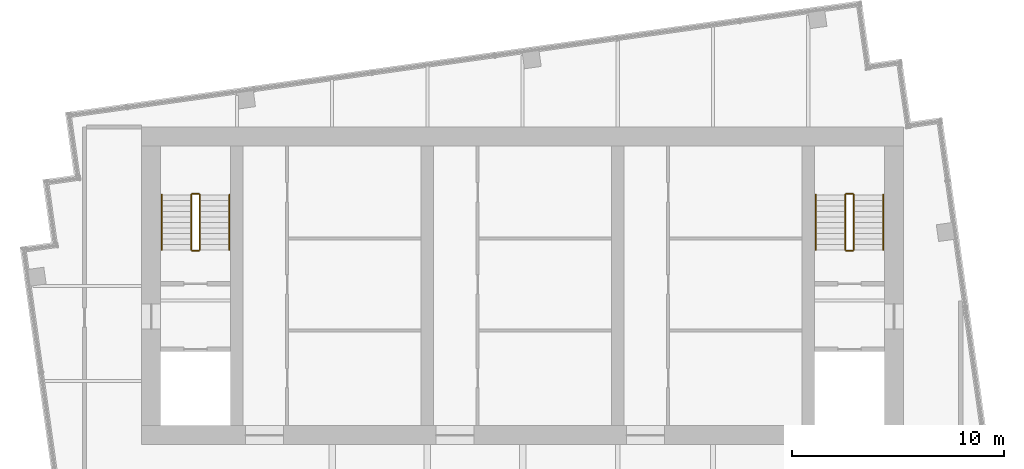
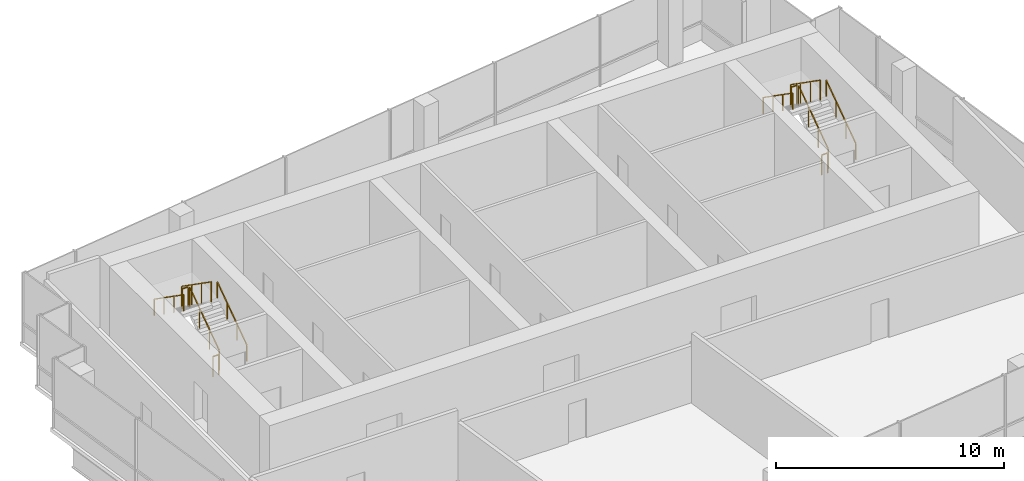
# One storey, part 9 of 9: 12 railings.
"""IFC4 building model written with IfcOpenShell, lengths in metres."""

from ifc_helpers import new_model, si_unit, direction, frame, origin, origin_2d, place, context, subcontext, project, spatial, rectangle, extrude, material, type_object, element, save


model = new_model("IFC4")

# Units and contexts
model_context = context("Model", 3, precision=1e-05, world=origin(), true_north=direction((0.0, 1.0)))
body_context = subcontext(model_context, "Body", "Model", "MODEL_VIEW")
ifc_project = project(units=[si_unit("LENGTHUNIT", "METRE"), si_unit("AREAUNIT", "SQUARE_METRE"), si_unit("VOLUMEUNIT", "CUBIC_METRE"), si_unit("PLANEANGLEUNIT", "RADIAN"), si_unit("MASSUNIT", "GRAM", prefix="KILO")], contexts=[model_context])

# Site, building, storey
site_placement = place(None, origin())
site = spatial("IfcSite", under=ifc_project, at=site_placement, CompositionType="ELEMENT")
building_placement = place(site_placement, origin())
building = spatial("IfcBuilding", under=site, at=building_placement, Name="Rattan Terrace Tower", CompositionType="ELEMENT")
storey_placement = place(building_placement, frame((0.0, 0.0, 312.300048828125)))
storey = spatial("IfcBuildingStorey", under=building, at=storey_placement, Name="C06", CompositionType="ELEMENT", Elevation=312.300048828125)

# Railings
ifc_material_1 = material(Name="Powder-coated steel guard", Category="steel")
railing_type_1 = type_object("IfcRailingType", Name="Core stair guard", PredefinedType="GUARDRAIL", material=ifc_material_1)
railing_1_placement = place(storey_placement, frame((-15.25, 1.699951171875, 0.181884765625)))
element("IfcRailing", 1, at=railing_1_placement, inside=storey, type_object=railing_type_1, Name="C06 S1 stair guard 1", PredefinedType="GUARDRAIL", context=body_context, shape_type="SweptSolid", body=[
    extrude(rectangle(XDim=0.048095703125, YDim=0.048095703125, at=origin_2d()), frame((0.0, 0.0, 1.076171875), z_axis=(0.0, 0.819521025635, 0.573049115296), x_axis=(-1.0, 0.0, 0.0)), (0.0, 0.0, 1.0), 3.172607421875),
    extrude(rectangle(XDim=0.0419921875, YDim=0.0419921875, at=origin_2d()), origin(), (0.0, 0.0, 1.0), 1.052001953125),
    extrude(rectangle(XDim=0.0419921875, YDim=0.0419921875, at=origin_2d()), frame((0.0, 0.86669921875, 0.60595703125)), (0.0, 0.0, 1.0), 1.052001953125),
    extrude(rectangle(XDim=0.0419921875, YDim=0.0419921875, at=origin_2d()), frame((0.0, 1.7333984375, 1.212158203125)), (0.0, 0.0, 1.0), 1.052001953125),
    extrude(rectangle(XDim=0.0419921875, YDim=0.0419921875, at=origin_2d()), frame((0.0, 2.60009765625, 1.818115234375)), (0.0, 0.0, 1.0), 1.052001953125),
])
railing_2_placement = place(storey_placement, frame((-15.300048828125, 4.35009765625, 2.0)))
element("IfcRailing", 2, at=railing_2_placement, inside=storey, type_object=railing_type_1, Name="C06 S1 stair guard 2", PredefinedType="GUARDRAIL", context=body_context, shape_type="SweptSolid", body=[
    extrude(rectangle(XDim=0.048095703125, YDim=0.048095703125, at=origin_2d()), frame((0.0, 0.0, 1.076171875), z_axis=(-1.0, 0.0, 0.0), x_axis=(0.0, -1.0, 0.0)), (0.0, 0.0, 1.0), 0.300048828125),
    extrude(rectangle(XDim=0.0419921875, YDim=0.0419921875, at=origin_2d()), origin(), (0.0, 0.0, 1.0), 1.052001953125),
    extrude(rectangle(XDim=0.0419921875, YDim=0.0419921875, at=origin_2d()), frame((-0.300048828125, 0.0, 0.0)), (0.0, 0.0, 1.0), 1.052001953125),
])
railing_3_placement = place(storey_placement, frame((-15.64990234375, 4.300048828125, 2.181884765625)))
element("IfcRailing", 3, at=railing_3_placement, inside=storey, type_object=railing_type_1, Name="C06 S1 stair guard 3", PredefinedType="GUARDRAIL", context=body_context, shape_type="SweptSolid", body=[
    extrude(rectangle(XDim=0.048095703125, YDim=0.048095703125, at=origin_2d()), frame((0.0, 0.0, 1.076171875), z_axis=(0.0, -0.819521025635, 0.573049115296), x_axis=(1.0, 0.0, 0.0)), (0.0, 0.0, 1.0), 3.172607421875),
    extrude(rectangle(XDim=0.0419921875, YDim=0.0419921875, at=origin_2d()), origin(), (0.0, 0.0, 1.0), 1.052001953125),
    extrude(rectangle(XDim=0.0419921875, YDim=0.0419921875, at=origin_2d()), frame((0.0, -0.86669921875, 0.60595703125)), (0.0, 0.0, 1.0), 1.052001953125),
    extrude(rectangle(XDim=0.0419921875, YDim=0.0419921875, at=origin_2d()), frame((0.0, -1.7333984375, 1.212158203125)), (0.0, 0.0, 1.0), 1.052001953125),
    extrude(rectangle(XDim=0.0419921875, YDim=0.0419921875, at=origin_2d()), frame((0.0, -2.60009765625, 1.818115234375)), (0.0, 0.0, 1.0), 1.052001953125),
])
railing_4_placement = place(storey_placement, frame((-15.300048828125, 1.64990234375, 0.0)))
element("IfcRailing", 4, at=railing_4_placement, inside=storey, type_object=railing_type_1, Name="C06 S1 stair guard 4", PredefinedType="GUARDRAIL", context=body_context, shape_type="SweptSolid", body=[
    extrude(rectangle(XDim=0.048095703125, YDim=0.048095703125, at=origin_2d()), frame((0.0, 0.0, 1.076171875), z_axis=(-1.0, 0.0, 0.0), x_axis=(0.0, -1.0, 0.0)), (0.0, 0.0, 1.0), 0.300048828125),
    extrude(rectangle(XDim=0.0419921875, YDim=0.0419921875, at=origin_2d()), origin(), (0.0, 0.0, 1.0), 1.052001953125),
    extrude(rectangle(XDim=0.0419921875, YDim=0.0419921875, at=origin_2d()), frame((-0.300048828125, 0.0, 0.0)), (0.0, 0.0, 1.0), 1.052001953125),
])
railing_5_placement = place(storey_placement, frame((15.64990234375, 1.699951171875, 0.181884765625)))
element("IfcRailing", 5, at=railing_5_placement, inside=storey, type_object=railing_type_1, Name="C06 S2 stair guard 1", PredefinedType="GUARDRAIL", context=body_context, shape_type="SweptSolid", body=[
    extrude(rectangle(XDim=0.048095703125, YDim=0.048095703125, at=origin_2d()), frame((0.0, 0.0, 1.076171875), z_axis=(0.0, 0.819521025635, 0.573049115296), x_axis=(-1.0, 0.0, 0.0)), (0.0, 0.0, 1.0), 3.172607421875),
    extrude(rectangle(XDim=0.0419921875, YDim=0.0419921875, at=origin_2d()), origin(), (0.0, 0.0, 1.0), 1.052001953125),
    extrude(rectangle(XDim=0.0419921875, YDim=0.0419921875, at=origin_2d()), frame((0.0, 0.86669921875, 0.60595703125)), (0.0, 0.0, 1.0), 1.052001953125),
    extrude(rectangle(XDim=0.0419921875, YDim=0.0419921875, at=origin_2d()), frame((0.0, 1.7333984375, 1.212158203125)), (0.0, 0.0, 1.0), 1.052001953125),
    extrude(rectangle(XDim=0.0419921875, YDim=0.0419921875, at=origin_2d()), frame((0.0, 2.60009765625, 1.818115234375)), (0.0, 0.0, 1.0), 1.052001953125),
])
railing_6_placement = place(storey_placement, frame((15.60009765625, 4.35009765625, 2.0)))
element("IfcRailing", 6, at=railing_6_placement, inside=storey, type_object=railing_type_1, Name="C06 S2 stair guard 2", PredefinedType="GUARDRAIL", context=body_context, shape_type="SweptSolid", body=[
    extrude(rectangle(XDim=0.048095703125, YDim=0.048095703125, at=origin_2d()), frame((0.0, 0.0, 1.076171875), z_axis=(-1.0, 0.0, 0.0), x_axis=(0.0, -1.0, 0.0)), (0.0, 0.0, 1.0), 0.300048828125),
    extrude(rectangle(XDim=0.0419921875, YDim=0.0419921875, at=origin_2d()), origin(), (0.0, 0.0, 1.0), 1.052001953125),
    extrude(rectangle(XDim=0.0419921875, YDim=0.0419921875, at=origin_2d()), frame((-0.300048828125, 0.0, 0.0)), (0.0, 0.0, 1.0), 1.052001953125),
])
railing_7_placement = place(storey_placement, frame((15.25, 4.300048828125, 2.181884765625)))
element("IfcRailing", 7, at=railing_7_placement, inside=storey, type_object=railing_type_1, Name="C06 S2 stair guard 3", PredefinedType="GUARDRAIL", context=body_context, shape_type="SweptSolid", body=[
    extrude(rectangle(XDim=0.048095703125, YDim=0.048095703125, at=origin_2d()), frame((0.0, 0.0, 1.076171875), z_axis=(0.0, -0.819521025635, 0.573049115296), x_axis=(1.0, 0.0, 0.0)), (0.0, 0.0, 1.0), 3.172607421875),
    extrude(rectangle(XDim=0.0419921875, YDim=0.0419921875, at=origin_2d()), origin(), (0.0, 0.0, 1.0), 1.052001953125),
    extrude(rectangle(XDim=0.0419921875, YDim=0.0419921875, at=origin_2d()), frame((0.0, -0.86669921875, 0.60595703125)), (0.0, 0.0, 1.0), 1.052001953125),
    extrude(rectangle(XDim=0.0419921875, YDim=0.0419921875, at=origin_2d()), frame((0.0, -1.7333984375, 1.212158203125)), (0.0, 0.0, 1.0), 1.052001953125),
    extrude(rectangle(XDim=0.0419921875, YDim=0.0419921875, at=origin_2d()), frame((0.0, -2.60009765625, 1.818115234375)), (0.0, 0.0, 1.0), 1.052001953125),
])
railing_8_placement = place(storey_placement, frame((15.60009765625, 1.64990234375, 0.0)))
element("IfcRailing", 8, at=railing_8_placement, inside=storey, type_object=railing_type_1, Name="C06 S2 stair guard 4", PredefinedType="GUARDRAIL", context=body_context, shape_type="SweptSolid", body=[
    extrude(rectangle(XDim=0.048095703125, YDim=0.048095703125, at=origin_2d()), frame((0.0, 0.0, 1.076171875), z_axis=(-1.0, 0.0, 0.0), x_axis=(0.0, -1.0, 0.0)), (0.0, 0.0, 1.0), 0.300048828125),
    extrude(rectangle(XDim=0.0419921875, YDim=0.0419921875, at=origin_2d()), origin(), (0.0, 0.0, 1.0), 1.052001953125),
    extrude(rectangle(XDim=0.0419921875, YDim=0.0419921875, at=origin_2d()), frame((-0.300048828125, 0.0, 0.0)), (0.0, 0.0, 1.0), 1.052001953125),
])
ifc_material_2 = material(Name="Powder-coated steel handrail", Category="steel")
railing_type_2 = type_object("IfcRailingType", Name="Core stair handrail", PredefinedType="HANDRAIL", material=ifc_material_2)
railing_9_placement = place(storey_placement, frame((-13.85009765625, 1.699951171875, 0.181884765625)))
element("IfcRailing", 9, at=railing_9_placement, inside=storey, type_object=railing_type_2, Name="C06 S1 stair handrail 1", PredefinedType="HANDRAIL", context=body_context, shape_type="SweptSolid", body=[
    extrude(rectangle(XDim=0.048095703125, YDim=0.048095703125, at=origin_2d()), frame((0.0, 0.0, 0.8759765625), z_axis=(0.0, 0.819521025635, 0.573049115296), x_axis=(-1.0, 0.0, 0.0)), (0.0, 0.0, 1.0), 3.172607421875),
    extrude(rectangle(XDim=0.0419921875, YDim=0.0419921875, at=origin_2d()), origin(), (0.0, 0.0, 1.0), 0.851806640625),
    extrude(rectangle(XDim=0.0419921875, YDim=0.0419921875, at=origin_2d()), frame((0.0, 0.86669921875, 0.60595703125)), (0.0, 0.0, 1.0), 0.851806640625),
    extrude(rectangle(XDim=0.0419921875, YDim=0.0419921875, at=origin_2d()), frame((0.0, 1.7333984375, 1.212158203125)), (0.0, 0.0, 1.0), 0.851806640625),
    extrude(rectangle(XDim=0.0419921875, YDim=0.0419921875, at=origin_2d()), frame((0.0, 2.60009765625, 1.818115234375)), (0.0, 0.0, 1.0), 0.851806640625),
])
railing_10_placement = place(storey_placement, frame((-17.050048828125, 4.300048828125, 2.181884765625)))
element("IfcRailing", 10, at=railing_10_placement, inside=storey, type_object=railing_type_2, Name="C06 S1 stair handrail 2", PredefinedType="HANDRAIL", context=body_context, shape_type="SweptSolid", body=[
    extrude(rectangle(XDim=0.048095703125, YDim=0.048095703125, at=origin_2d()), frame((0.0, 0.0, 0.8759765625), z_axis=(0.0, -0.819521025635, 0.573049115296), x_axis=(1.0, 0.0, 0.0)), (0.0, 0.0, 1.0), 3.172607421875),
    extrude(rectangle(XDim=0.0419921875, YDim=0.0419921875, at=origin_2d()), origin(), (0.0, 0.0, 1.0), 0.851806640625),
    extrude(rectangle(XDim=0.0419921875, YDim=0.0419921875, at=origin_2d()), frame((0.0, -0.86669921875, 0.60595703125)), (0.0, 0.0, 1.0), 0.851806640625),
    extrude(rectangle(XDim=0.0419921875, YDim=0.0419921875, at=origin_2d()), frame((0.0, -1.7333984375, 1.212158203125)), (0.0, 0.0, 1.0), 0.851806640625),
    extrude(rectangle(XDim=0.0419921875, YDim=0.0419921875, at=origin_2d()), frame((0.0, -2.60009765625, 1.818115234375)), (0.0, 0.0, 1.0), 0.851806640625),
])
railing_11_placement = place(storey_placement, frame((17.050048828125, 1.699951171875, 0.181884765625)))
element("IfcRailing", 11, at=railing_11_placement, inside=storey, type_object=railing_type_2, Name="C06 S2 stair handrail 1", PredefinedType="HANDRAIL", context=body_context, shape_type="SweptSolid", body=[
    extrude(rectangle(XDim=0.048095703125, YDim=0.048095703125, at=origin_2d()), frame((0.0, 0.0, 0.8759765625), z_axis=(0.0, 0.819521025635, 0.573049115296), x_axis=(-1.0, 0.0, 0.0)), (0.0, 0.0, 1.0), 3.172607421875),
    extrude(rectangle(XDim=0.0419921875, YDim=0.0419921875, at=origin_2d()), origin(), (0.0, 0.0, 1.0), 0.851806640625),
    extrude(rectangle(XDim=0.0419921875, YDim=0.0419921875, at=origin_2d()), frame((0.0, 0.86669921875, 0.60595703125)), (0.0, 0.0, 1.0), 0.851806640625),
    extrude(rectangle(XDim=0.0419921875, YDim=0.0419921875, at=origin_2d()), frame((0.0, 1.7333984375, 1.212158203125)), (0.0, 0.0, 1.0), 0.851806640625),
    extrude(rectangle(XDim=0.0419921875, YDim=0.0419921875, at=origin_2d()), frame((0.0, 2.60009765625, 1.818115234375)), (0.0, 0.0, 1.0), 0.851806640625),
])
railing_12_placement = place(storey_placement, frame((13.85009765625, 4.300048828125, 2.181884765625)))
element("IfcRailing", 12, at=railing_12_placement, inside=storey, type_object=railing_type_2, Name="C06 S2 stair handrail 2", PredefinedType="HANDRAIL", context=body_context, shape_type="SweptSolid", body=[
    extrude(rectangle(XDim=0.048095703125, YDim=0.048095703125, at=origin_2d()), frame((0.0, 0.0, 0.8759765625), z_axis=(0.0, -0.819521025635, 0.573049115296), x_axis=(1.0, 0.0, 0.0)), (0.0, 0.0, 1.0), 3.172607421875),
    extrude(rectangle(XDim=0.0419921875, YDim=0.0419921875, at=origin_2d()), origin(), (0.0, 0.0, 1.0), 0.851806640625),
    extrude(rectangle(XDim=0.0419921875, YDim=0.0419921875, at=origin_2d()), frame((0.0, -0.86669921875, 0.60595703125)), (0.0, 0.0, 1.0), 0.851806640625),
    extrude(rectangle(XDim=0.0419921875, YDim=0.0419921875, at=origin_2d()), frame((0.0, -1.7333984375, 1.212158203125)), (0.0, 0.0, 1.0), 0.851806640625),
    extrude(rectangle(XDim=0.0419921875, YDim=0.0419921875, at=origin_2d()), frame((0.0, -2.60009765625, 1.818115234375)), (0.0, 0.0, 1.0), 0.851806640625),
])

save(model, "model.ifc")
